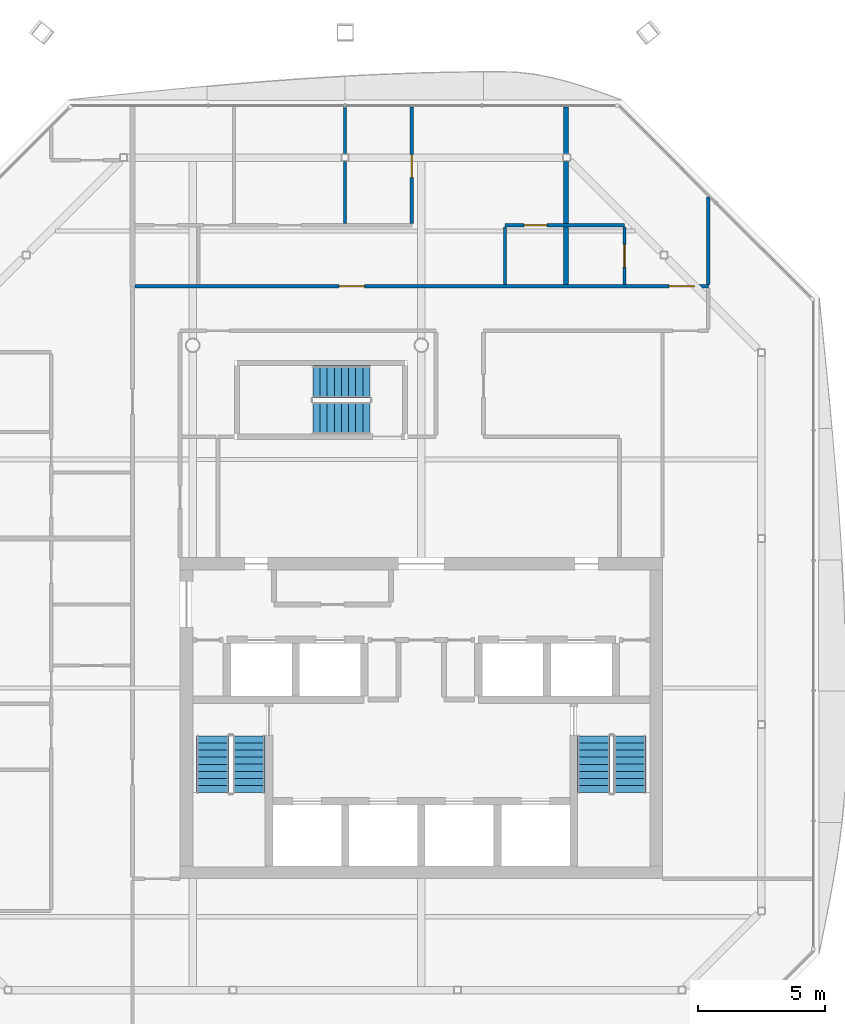
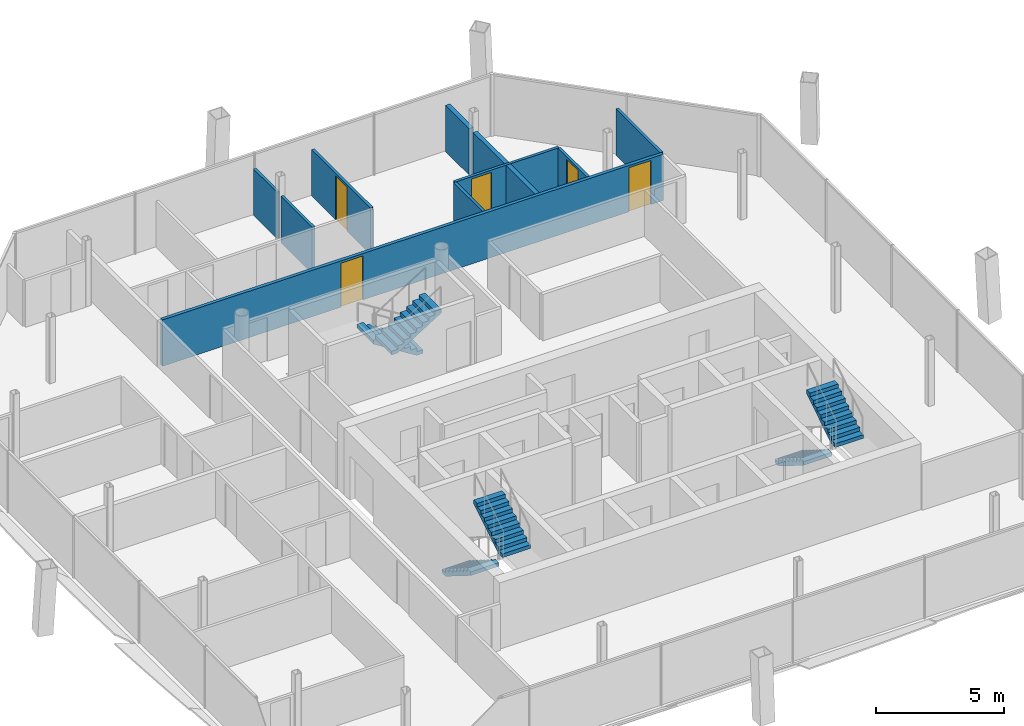
# One storey, part 14 of 17: 10 walls, 6 stair flights, 5 doors, 5 openings, 3 elements without a shape of their own.
"""IFC4 building model written with IfcOpenShell, lengths in metres."""

from ifc_helpers import new_model, si_unit, direction, frame, frame_2d, origin, place, context, subcontext, project, spatial, polyline, rectangle, outline, extrude, material, layer, layer_set, type_object, element, fill, aggregate, save


model = new_model("IFC4")

# Units and contexts
model_context = context("Model", 3, precision=1e-05, world=origin(), true_north=direction((0.0, 1.0)))
body_context = subcontext(model_context, "Body", "Model", "MODEL_VIEW")
ifc_project = project(units=[si_unit("LENGTHUNIT", "METRE"), si_unit("AREAUNIT", "SQUARE_METRE"), si_unit("VOLUMEUNIT", "CUBIC_METRE"), si_unit("PLANEANGLEUNIT", "RADIAN"), si_unit("MASSUNIT", "GRAM", prefix="KILO")], contexts=[model_context])

# Site, building, storey
site_placement = place(None, origin())
site = spatial("IfcSite", under=ifc_project, at=site_placement, CompositionType="ELEMENT")
building_placement = place(site_placement, origin())
building = spatial("IfcBuilding", under=site, at=building_placement, Name="Tskaro Facet Tower", CompositionType="ELEMENT")
storey_placement = place(building_placement, frame((0.0, 0.0, 229.800048828125)))
storey = spatial("IfcBuildingStorey", under=building, at=storey_placement, Name="L59", CompositionType="ELEMENT", Elevation=229.800048828125)

# Wall, opening, door
ifc_material_1 = material(Name="Gypsum board on steel studs", Category="steel")
ifc_layer_1 = layer(ifc_material_1, 0.125, Name="Gypsum board on steel studs")
ifc_layer_set_1 = layer_set([ifc_layer_1], Name="Gypsum board on steel studs")
wall_type_1 = type_object("IfcWallType", Name="PART", PredefinedType="PARTITIONING", material=ifc_layer_set_1)
wall_1_placement = place(storey_placement, frame((8.0, 13.72509765625, 0.0), z_axis=(0.0, 0.0, 1.0), x_axis=(-1.0, 0.0, 0.0)))
wall_1 = element("IfcWall", 1, at=wall_1_placement, inside=storey, type_object=wall_type_1, Name="Partition W036", PredefinedType="PARTITIONING", context=body_context, shape_type="SweptSolid", body=[
    extrude(rectangle(XDim=4.699951171875, YDim=0.125, at=frame_2d((2.35009765625, 0.0))), origin(), (0.0, 0.0, 1.0), 2.2099609375),
])
opening_1_placement = place(wall_1_placement, frame((3.050048828125, 0.0, 0.0)))
opening_1 = element("IfcOpeningElement", 2, at=opening_1_placement, cuts=wall_1, Name="Opening T17-D31", PredefinedType="OPENING", context=body_context, shape_type="SweptSolid", body=[
    extrude(rectangle(XDim=0.89990234375, YDim=2.10009765625, at=frame_2d((0.449951171875, 1.050048828125))), frame((0.0, 0.072509765625, 0.0), z_axis=(0.0, -1.0, 0.0), x_axis=(1.0, 0.0, 0.0)), (0.0, 0.0, 1.0), 0.14501953125),
])
ifc_material_2 = material(Name="Timber", Category="wood")
door_type_1 = type_object("IfcDoorType", Name="D-ROOM", OperationType="NOTDEFINED", PredefinedType="DOOR", material=ifc_material_2)
door_1_placement = place(opening_1_placement, origin())
door_1 = element("IfcDoor", 3, at=door_1_placement, inside=storey, type_object=door_type_1, Name="Door T17-D31", OperationType="SINGLE_SWING_RIGHT", OverallHeight=2.10009765625, OverallWidth=0.89990234375, PredefinedType="DOOR", context=body_context, shape_type="SweptSolid", body=[
    extrude(rectangle(XDim=0.89990234375, YDim=2.10009765625, at=frame_2d((0.449951171875, 1.050048828125))), frame((0.0, 0.02490234375, 0.0), z_axis=(0.0, -1.0, 0.0), x_axis=(1.0, 0.0, 0.0)), (0.0, 0.0, 1.0), 0.050048828125),
])
fill(opening_1, door_1)

# Walls
wall_2_placement = place(storey_placement, frame((-3.0, 13.78759765625, 0.0), z_axis=(0.0, 0.0, 1.0), x_axis=(0.0, 1.0, 0.0)))
element("IfcWall", 4, at=wall_2_placement, inside=storey, type_object=wall_type_1, Name="Partition W053", PredefinedType="PARTITIONING", context=body_context, shape_type="SweptSolid", body=[
    extrude(rectangle(XDim=2.453369140625, YDim=0.125, at=frame_2d((1.2265625, 0.0))), origin(), (0.0, 0.0, 1.0), 2.2099609375),
])
wall_3_placement = place(storey_placement, frame((-3.0, 16.541015625, 0.0), z_axis=(0.0, 0.0, 1.0), x_axis=(0.0, 1.0, 0.0)))
element("IfcWall", 5, at=wall_3_placement, inside=storey, type_object=wall_type_1, Name="Partition W054", PredefinedType="PARTITIONING", context=body_context, shape_type="SweptSolid", body=[
    extrude(rectangle(XDim=1.843994140625, YDim=0.125, at=frame_2d((0.921875, 0.0))), origin(), (0.0, 0.0, 1.0), 2.2099609375),
])

# Wall, opening, door
wall_4_placement = place(storey_placement, frame((-0.375, 13.78759765625, 0.0), z_axis=(0.0, 0.0, 1.0), x_axis=(0.0, 1.0, 0.0)))
wall_4 = element("IfcWall", 6, at=wall_4_placement, inside=storey, type_object=wall_type_1, Name="Partition W059", PredefinedType="PARTITIONING", context=body_context, shape_type="SweptSolid", body=[
    extrude(rectangle(XDim=4.597412109375, YDim=0.125, at=frame_2d((2.298828125, 0.0))), origin(), (0.0, 0.0, 1.0), 2.2099609375),
])
opening_2_placement = place(wall_4_placement, frame((1.8173828125, 0.0, 0.0)))
opening_2 = element("IfcOpeningElement", 7, at=opening_2_placement, cuts=wall_4, Name="Opening T17-D32", PredefinedType="OPENING", context=body_context, shape_type="SweptSolid", body=[
    extrude(rectangle(XDim=0.89990234375, YDim=2.10009765625, at=frame_2d((0.449951171875, 1.050048828125))), frame((0.0, 0.072509765625, 0.0), z_axis=(0.0, -1.0, 0.0), x_axis=(1.0, 0.0, 0.0)), (0.0, 0.0, 1.0), 0.14501953125),
])
door_2_placement = place(opening_2_placement, origin())
door_2 = element("IfcDoor", 8, at=door_2_placement, inside=storey, type_object=door_type_1, Name="Door T17-D32", OperationType="SINGLE_SWING_LEFT", OverallHeight=2.10009765625, OverallWidth=0.89990234375, PredefinedType="DOOR", context=body_context, shape_type="SweptSolid", body=[
    extrude(rectangle(XDim=0.89990234375, YDim=2.10009765625, at=frame_2d((0.449951171875, 1.050048828125))), frame((0.0, 0.02490234375, 0.0), z_axis=(0.0, -1.0, 0.0), x_axis=(1.0, 0.0, 0.0)), (0.0, 0.0, 1.0), 0.050048828125),
])
fill(opening_2, door_2)

# Wall
wall_5_placement = place(storey_placement, frame((3.300048828125, 11.39990234375, 0.0), z_axis=(0.0, 0.0, 1.0), x_axis=(0.0, 1.0, 0.0)))
element("IfcWall", 9, at=wall_5_placement, inside=storey, type_object=wall_type_1, Name="Partition W066", PredefinedType="PARTITIONING", context=body_context, shape_type="SweptSolid", body=[
    extrude(rectangle(XDim=2.2626953125, YDim=0.125, at=frame_2d((1.13134765625, 0.0))), origin(), (0.0, 0.0, 1.0), 2.2099609375),
])

# Wall, opening, door
wall_6_placement = place(storey_placement, frame((8.0, 11.39990234375, 0.0), z_axis=(0.0, 0.0, 1.0), x_axis=(0.0, 1.0, 0.0)))
wall_6 = element("IfcWall", 10, at=wall_6_placement, inside=storey, type_object=wall_type_1, Name="Partition W073", PredefinedType="PARTITIONING", context=body_context, shape_type="SweptSolid", body=[
    extrude(rectangle(XDim=2.2626953125, YDim=0.125, at=frame_2d((1.13134765625, 0.0))), origin(), (0.0, 0.0, 1.0), 2.2099609375),
])
opening_3_placement = place(wall_6_placement, frame((0.675048828125, 0.0, 0.0)))
opening_3 = element("IfcOpeningElement", 11, at=opening_3_placement, cuts=wall_6, Name="Opening T17-D27", PredefinedType="OPENING", context=body_context, shape_type="SweptSolid", body=[
    extrude(rectangle(XDim=0.89990234375, YDim=2.10009765625, at=frame_2d((0.449951171875, 1.050048828125))), frame((0.0, 0.072509765625, 0.0), z_axis=(0.0, -1.0, 0.0), x_axis=(1.0, 0.0, 0.0)), (0.0, 0.0, 1.0), 0.14501953125),
])
door_3_placement = place(opening_3_placement, origin())
door_3 = element("IfcDoor", 12, at=door_3_placement, inside=storey, type_object=door_type_1, Name="Door T17-D27", OperationType="SINGLE_SWING_LEFT", OverallHeight=2.10009765625, OverallWidth=0.89990234375, PredefinedType="DOOR", context=body_context, shape_type="SweptSolid", body=[
    extrude(rectangle(XDim=0.89990234375, YDim=2.10009765625, at=frame_2d((0.449951171875, 1.050048828125))), frame((0.0, 0.02490234375, 0.0), z_axis=(0.0, -1.0, 0.0), x_axis=(1.0, 0.0, 0.0)), (0.0, 0.0, 1.0), 0.050048828125),
])
fill(opening_3, door_3)

# Wall
wall_7_placement = place(storey_placement, frame((11.300048828125, 11.39990234375, 0.0), z_axis=(0.0, 0.0, 1.0), x_axis=(0.0, 1.0, 0.0)))
element("IfcWall", 13, at=wall_7_placement, inside=storey, type_object=wall_type_1, Name="Partition W076", PredefinedType="PARTITIONING", context=body_context, shape_type="SweptSolid", body=[
    extrude(rectangle(XDim=3.446044921875, YDim=0.125, at=frame_2d((1.72314453125, 0.0))), origin(), (0.0, 0.0, 1.0), 2.2099609375),
])

# Wall, openings, doors
ifc_layer_2 = layer(ifc_material_1, 0.14990234375, Name="Gypsum board on steel studs")
ifc_layer_set_2 = layer_set([ifc_layer_2], Name="Gypsum board on steel studs")
wall_type_2 = type_object("IfcWallType", Name="PART-CORR", PredefinedType="PARTITIONING", material=ifc_layer_set_2)
wall_8_placement = place(storey_placement, frame((-11.27490234375, 11.324951171875, 0.0), z_axis=(0.0, 0.0, 1.0), x_axis=(1.0, 0.0, 0.0)))
wall_8 = element("IfcWall", 14, at=wall_8_placement, inside=storey, type_object=wall_type_2, Name="Corridor wall W034", PredefinedType="PARTITIONING", context=body_context, shape_type="SweptSolid", body=[
    extrude(rectangle(XDim=22.574951171875, YDim=0.14990234375, at=frame_2d((11.28759765625, 0.0))), origin(), (0.0, 0.0, 1.0), 2.2099609375),
])
opening_4_placement = place(wall_8_placement, frame((8.03759765625, 0.0, 0.0)))
opening_4 = element("IfcOpeningElement", 15, at=opening_4_placement, cuts=wall_8, Name="Opening T17-D25", PredefinedType="OPENING", context=body_context, shape_type="SweptSolid", body=[
    extrude(rectangle(XDim=1.0, YDim=2.10009765625, at=frame_2d((0.5, 1.050048828125))), frame((0.0, 0.0849609375, 0.0), z_axis=(0.0, -1.0, 0.0), x_axis=(1.0, 0.0, 0.0)), (0.0, 0.0, 1.0), 0.169921875),
])
opening_5_placement = place(wall_8_placement, frame((21.02490234375, 0.0, 0.0)))
opening_5 = element("IfcOpeningElement", 16, at=opening_5_placement, cuts=wall_8, Name="Opening T17-D26", PredefinedType="OPENING", context=body_context, shape_type="SweptSolid", body=[
    extrude(rectangle(XDim=1.0, YDim=2.10009765625, at=frame_2d((0.5, 1.050048828125))), frame((0.0, 0.0849609375, 0.0), z_axis=(0.0, -1.0, 0.0), x_axis=(1.0, 0.0, 0.0)), (0.0, 0.0, 1.0), 0.169921875),
])
door_type_2 = type_object("IfcDoorType", Name="D-FLAT-ENTRY", OperationType="NOTDEFINED", PredefinedType="DOOR", material=ifc_material_2)
door_4_placement = place(opening_4_placement, origin())
door_4 = element("IfcDoor", 17, at=door_4_placement, inside=storey, type_object=door_type_2, Name="Door T17-D25", OperationType="SINGLE_SWING_LEFT", OverallHeight=2.10009765625, OverallWidth=1.0, PredefinedType="DOOR", context=body_context, shape_type="SweptSolid", body=[
    extrude(rectangle(XDim=1.0, YDim=2.10009765625, at=frame_2d((0.5, 1.050048828125))), frame((0.0, 0.02490234375, 0.0), z_axis=(0.0, -1.0, 0.0), x_axis=(1.0, 0.0, 0.0)), (0.0, 0.0, 1.0), 0.050048828125),
])
fill(opening_4, door_4)
door_5_placement = place(opening_5_placement, origin())
door_5 = element("IfcDoor", 18, at=door_5_placement, inside=storey, type_object=door_type_2, Name="Door T17-D26", OperationType="SINGLE_SWING_LEFT", OverallHeight=2.10009765625, OverallWidth=1.0, PredefinedType="DOOR", context=body_context, shape_type="SweptSolid", body=[
    extrude(rectangle(XDim=1.0, YDim=2.10009765625, at=frame_2d((0.5, 1.050048828125))), frame((0.0, 0.02490234375, 0.0), z_axis=(0.0, -1.0, 0.0), x_axis=(1.0, 0.0, 0.0)), (0.0, 0.0, 1.0), 0.050048828125),
])
fill(opening_5, door_5)

# Walls
ifc_layer_3 = layer(ifc_material_1, 0.199951171875, Name="Gypsum board on steel studs")
ifc_layer_set_3 = layer_set([ifc_layer_3], Name="Gypsum board on steel studs")
wall_type_3 = type_object("IfcWallType", Name="PART-DEMISING", PredefinedType="PARTITIONING", material=ifc_layer_set_3)
wall_9_placement = place(storey_placement, frame((5.699951171875, 11.39990234375, 0.0), z_axis=(0.0, 0.0, 1.0), x_axis=(0.0, 1.0, 0.0)))
element("IfcWall", 19, at=wall_9_placement, inside=storey, type_object=wall_type_3, Name="Guest room wall W068", PredefinedType="PARTITIONING", context=body_context, shape_type="SweptSolid", body=[
    extrude(rectangle(XDim=4.841064453125, YDim=0.199951171875, at=frame_2d((2.42041015625, 0.0))), origin(), (0.0, 0.0, 1.0), 2.2099609375),
])
wall_10_placement = place(storey_placement, frame((5.699951171875, 16.541015625, 0.0), z_axis=(0.0, 0.0, 1.0), x_axis=(0.0, 1.0, 0.0)))
element("IfcWall", 20, at=wall_10_placement, inside=storey, type_object=wall_type_3, Name="Guest room wall W069", PredefinedType="PARTITIONING", context=body_context, shape_type="SweptSolid", body=[
    extrude(rectangle(XDim=1.843994140625, YDim=0.199951171875, at=frame_2d((0.921875, 0.0))), origin(), (0.0, 0.0, 1.0), 2.2099609375),
])

# Stair, stair flights
ifc_material_3 = material(Name="Concrete C40/50", Category="concrete")
stair_type = type_object("IfcStairType", Name="ST-TWR", PredefinedType="HALF_TURN_STAIR", material=ifc_material_3)
stair_1_placement = place(storey_placement, origin())
stair_1 = element("IfcStair", 21, at=stair_1_placement, inside=storey, type_object=stair_type, Name="L59 Exit stair 1", PredefinedType="HALF_TURN_STAIR")
stair_flight_type = type_object("IfcStairFlightType", Name="SFL-RC", PredefinedType="STRAIGHT", material=ifc_material_3)
stair_flight_1_placement = place(storey_placement, frame((-8.21240234375, -6.375, 0.0), z_axis=(0.0, 0.0, 1.0), x_axis=(0.0, -1.0, 0.0)))
stair_flight_1 = element("IfcStairFlight", 22, at=stair_flight_1_placement, type_object=stair_flight_type, Name="ST-1 flight 1", NumberOfRisers=9, NumberOfTreads=8, PredefinedType="STRAIGHT", RiserHeight=0.175, TreadLength=0.28, context=body_context, shape_type="SweptSolid", body=[
    extrude(outline(polyline([(0.0, 0.0), (0.0, 0.175048828125), (0.280029296875, 0.175048828125), (0.280029296875, 0.35009765625), (0.56005859375, 0.35009765625), (0.56005859375, 0.52490234375), (0.840087890625, 0.52490234375), (0.840087890625, 0.699951171875), (1.1201171875, 0.699951171875), (1.1201171875, 0.875), (1.39990234375, 0.875), (1.39990234375, 1.050048828125), (1.679931640625, 1.050048828125), (1.679931640625, 1.22509765625), (1.9599609375, 1.22509765625), (1.9599609375, 1.39990234375), (2.239990234375, 1.39990234375), (2.239990234375, 1.574951171875), (2.239990234375, 1.22314453125), (0.28271484375, 0.0), (0.0, 0.0)])), frame((0.0, 0.637451171875, 0.0), z_axis=(0.0, -1.0, 0.0), x_axis=(1.0, 0.0, 0.0)), (0.0, 0.0, 1.0), 1.27490234375),
])
stair_flight_2_placement = place(storey_placement, frame((-6.78759765625, -8.614990234375, 1.574951171875), z_axis=(0.0, 0.0, 1.0), x_axis=(0.0, 1.0, 0.0)))
stair_flight_2 = element("IfcStairFlight", 23, at=stair_flight_2_placement, type_object=stair_flight_type, Name="ST-1 flight 2", NumberOfRisers=9, NumberOfTreads=8, PredefinedType="STRAIGHT", RiserHeight=0.175, TreadLength=0.28, context=body_context, shape_type="SweptSolid", body=[
    extrude(outline(polyline([(0.0, 0.0), (0.0, 0.175048828125), (0.280029296875, 0.175048828125), (0.280029296875, 0.35009765625), (0.56005859375, 0.35009765625), (0.56005859375, 0.52490234375), (0.840087890625, 0.52490234375), (0.840087890625, 0.699951171875), (1.1201171875, 0.699951171875), (1.1201171875, 0.875), (1.39990234375, 0.875), (1.39990234375, 1.050048828125), (1.679931640625, 1.050048828125), (1.679931640625, 1.22509765625), (1.9599609375, 1.22509765625), (1.9599609375, 1.39990234375), (2.239990234375, 1.39990234375), (2.239990234375, 1.574951171875), (2.239990234375, 1.22314453125), (0.28271484375, 0.0), (0.0, 0.0)])), frame((0.0, 0.637451171875, 0.0), z_axis=(0.0, -1.0, 0.0), x_axis=(1.0, 0.0, 0.0)), (0.0, 0.0, 1.0), 1.27490234375),
])
aggregate(stair_1, [stair_flight_1, stair_flight_2])

stair_2_placement = place(storey_placement, origin())
stair_2 = element("IfcStair", 24, at=stair_2_placement, inside=storey, type_object=stair_type, Name="L59 Exit stair 2", PredefinedType="HALF_TURN_STAIR")
stair_flight_3_placement = place(storey_placement, frame((6.78759765625, -6.375, 0.0), z_axis=(0.0, 0.0, 1.0), x_axis=(0.0, -1.0, 0.0)))
stair_flight_3 = element("IfcStairFlight", 25, at=stair_flight_3_placement, type_object=stair_flight_type, Name="ST-2 flight 1", NumberOfRisers=9, NumberOfTreads=8, PredefinedType="STRAIGHT", RiserHeight=0.175, TreadLength=0.28, context=body_context, shape_type="SweptSolid", body=[
    extrude(outline(polyline([(0.0, 0.0), (0.0, 0.175048828125), (0.280029296875, 0.175048828125), (0.280029296875, 0.35009765625), (0.56005859375, 0.35009765625), (0.56005859375, 0.52490234375), (0.840087890625, 0.52490234375), (0.840087890625, 0.699951171875), (1.1201171875, 0.699951171875), (1.1201171875, 0.875), (1.39990234375, 0.875), (1.39990234375, 1.050048828125), (1.679931640625, 1.050048828125), (1.679931640625, 1.22509765625), (1.9599609375, 1.22509765625), (1.9599609375, 1.39990234375), (2.239990234375, 1.39990234375), (2.239990234375, 1.574951171875), (2.239990234375, 1.22314453125), (0.28271484375, 0.0), (0.0, 0.0)])), frame((0.0, 0.637451171875, 0.0), z_axis=(0.0, -1.0, 0.0), x_axis=(1.0, 0.0, 0.0)), (0.0, 0.0, 1.0), 1.27490234375),
])
stair_flight_4_placement = place(storey_placement, frame((8.21240234375, -8.614990234375, 1.574951171875), z_axis=(0.0, 0.0, 1.0), x_axis=(0.0, 1.0, 0.0)))
stair_flight_4 = element("IfcStairFlight", 26, at=stair_flight_4_placement, type_object=stair_flight_type, Name="ST-2 flight 2", NumberOfRisers=9, NumberOfTreads=8, PredefinedType="STRAIGHT", RiserHeight=0.175, TreadLength=0.28, context=body_context, shape_type="SweptSolid", body=[
    extrude(outline(polyline([(0.0, 0.0), (0.0, 0.175048828125), (0.280029296875, 0.175048828125), (0.280029296875, 0.35009765625), (0.56005859375, 0.35009765625), (0.56005859375, 0.52490234375), (0.840087890625, 0.52490234375), (0.840087890625, 0.699951171875), (1.1201171875, 0.699951171875), (1.1201171875, 0.875), (1.39990234375, 0.875), (1.39990234375, 1.050048828125), (1.679931640625, 1.050048828125), (1.679931640625, 1.22509765625), (1.9599609375, 1.22509765625), (1.9599609375, 1.39990234375), (2.239990234375, 1.39990234375), (2.239990234375, 1.574951171875), (2.239990234375, 1.22314453125), (0.28271484375, 0.0), (0.0, 0.0)])), frame((0.0, 0.637451171875, 0.0), z_axis=(0.0, -1.0, 0.0), x_axis=(1.0, 0.0, 0.0)), (0.0, 0.0, 1.0), 1.27490234375),
])
aggregate(stair_2, [stair_flight_3, stair_flight_4])

stair_3_placement = place(storey_placement, origin())
stair_3 = element("IfcStair", 27, at=stair_3_placement, inside=storey, type_object=stair_type, Name="L59 Exit stair 3", PredefinedType="HALF_TURN_STAIR")
stair_flight_5_placement = place(storey_placement, frame((-2.02490234375, 7.5625, 0.0), z_axis=(0.0, 0.0, 1.0), x_axis=(-1.0, 0.0, 0.0)))
stair_flight_5 = element("IfcStairFlight", 28, at=stair_flight_5_placement, type_object=stair_flight_type, Name="ST-3 flight 1", NumberOfRisers=9, NumberOfTreads=8, PredefinedType="STRAIGHT", RiserHeight=0.175, TreadLength=0.28, context=body_context, shape_type="SweptSolid", body=[
    extrude(outline(polyline([(0.0, 0.0), (0.0, 0.175048828125), (0.280029296875, 0.175048828125), (0.280029296875, 0.35009765625), (0.56005859375, 0.35009765625), (0.56005859375, 0.52490234375), (0.840087890625, 0.52490234375), (0.840087890625, 0.699951171875), (1.1201171875, 0.699951171875), (1.1201171875, 0.875), (1.39990234375, 0.875), (1.39990234375, 1.050048828125), (1.679931640625, 1.050048828125), (1.679931640625, 1.22509765625), (1.9599609375, 1.22509765625), (1.9599609375, 1.39990234375), (2.239990234375, 1.39990234375), (2.239990234375, 1.574951171875), (2.239990234375, 1.22314453125), (0.28271484375, 0.0), (0.0, 0.0)])), frame((0.0, 0.637451171875, 0.0), z_axis=(0.0, -1.0, 0.0), x_axis=(1.0, 0.0, 0.0)), (0.0, 0.0, 1.0), 1.27490234375),
])
stair_flight_6_placement = place(storey_placement, frame((-4.264892578125, 6.137451171875, 1.574951171875), z_axis=(0.0, 0.0, 1.0), x_axis=(1.0, 0.0, 0.0)))
stair_flight_6 = element("IfcStairFlight", 29, at=stair_flight_6_placement, type_object=stair_flight_type, Name="ST-3 flight 2", NumberOfRisers=9, NumberOfTreads=8, PredefinedType="STRAIGHT", RiserHeight=0.175, TreadLength=0.28, context=body_context, shape_type="SweptSolid", body=[
    extrude(outline(polyline([(0.0, 0.0), (0.0, 0.175048828125), (0.280029296875, 0.175048828125), (0.280029296875, 0.35009765625), (0.56005859375, 0.35009765625), (0.56005859375, 0.52490234375), (0.840087890625, 0.52490234375), (0.840087890625, 0.699951171875), (1.1201171875, 0.699951171875), (1.1201171875, 0.875), (1.39990234375, 0.875), (1.39990234375, 1.050048828125), (1.679931640625, 1.050048828125), (1.679931640625, 1.22509765625), (1.9599609375, 1.22509765625), (1.9599609375, 1.39990234375), (2.239990234375, 1.39990234375), (2.239990234375, 1.574951171875), (2.239990234375, 1.22314453125), (0.28271484375, 0.0), (0.0, 0.0)])), frame((0.0, 0.637451171875, 0.0), z_axis=(0.0, -1.0, 0.0), x_axis=(1.0, 0.0, 0.0)), (0.0, 0.0, 1.0), 1.27490234375),
])
aggregate(stair_3, [stair_flight_5, stair_flight_6])

save(model, "model.ifc")
